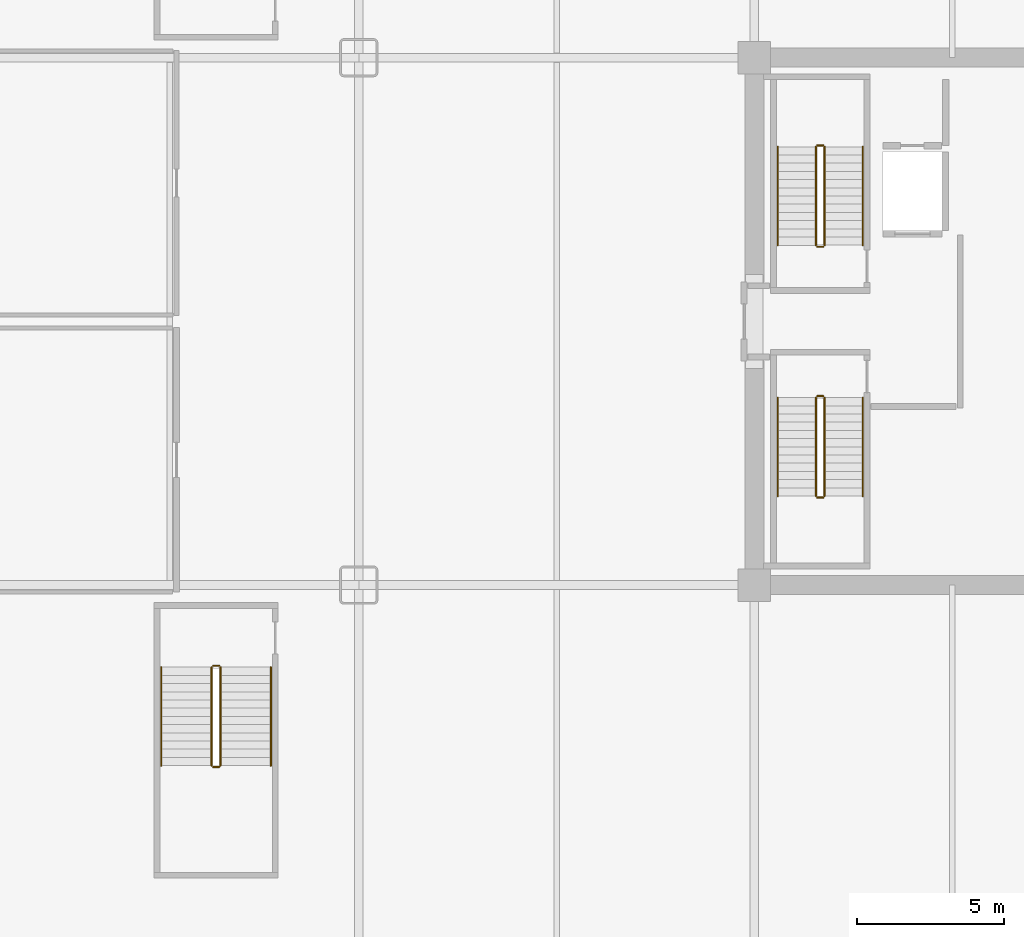
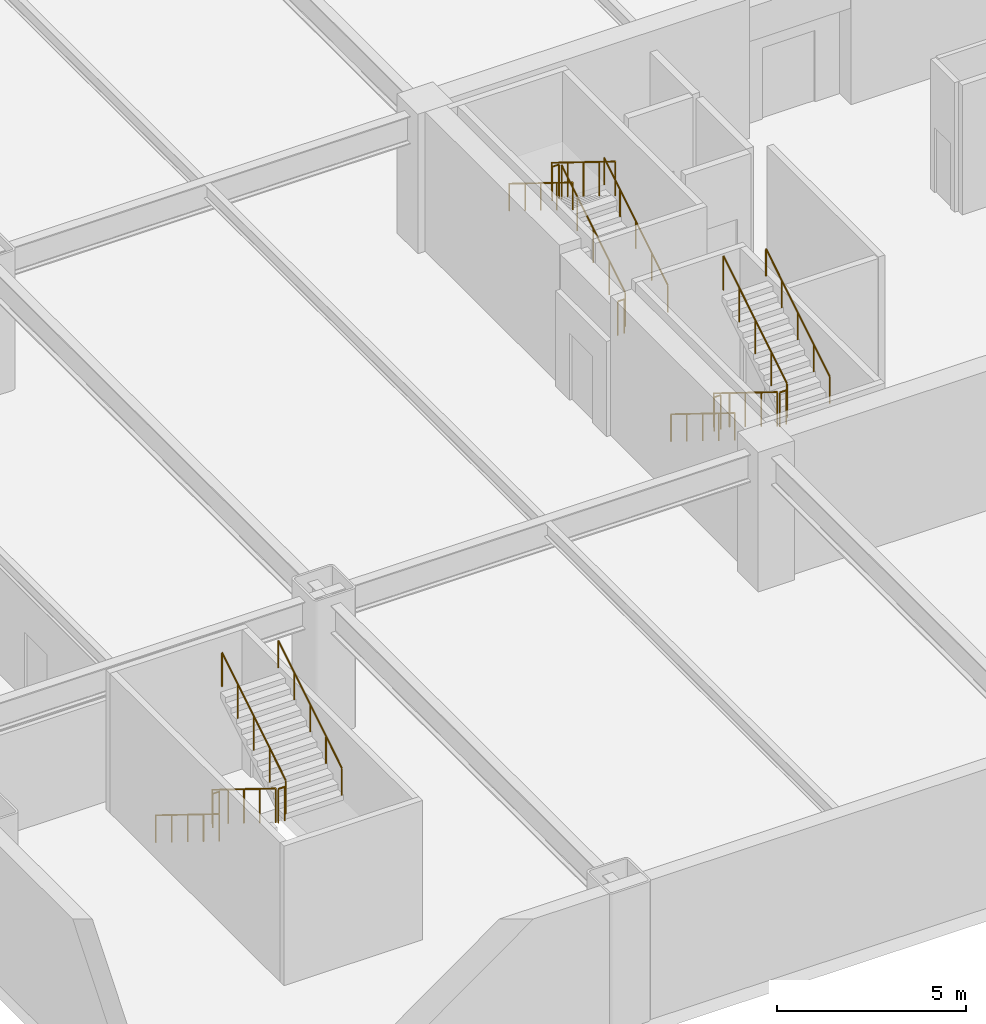
# One storey, part 6 of 9: 18 railings.
"""IFC4 building model written with IfcOpenShell, lengths in metres."""

from ifc_helpers import new_model, si_unit, direction, frame, origin, origin_2d, place, context, subcontext, project, spatial, circle, extrude, material, type_object, element, save


model = new_model("IFC4")

# Units and contexts
model_context = context("Model", 3, precision=1e-05, world=origin(), true_north=direction((0.0, 1.0)))
body_context = subcontext(model_context, "Body", "Model", "MODEL_VIEW")
ifc_project = project(units=[si_unit("LENGTHUNIT", "METRE"), si_unit("AREAUNIT", "SQUARE_METRE"), si_unit("VOLUMEUNIT", "CUBIC_METRE"), si_unit("PLANEANGLEUNIT", "RADIAN"), si_unit("MASSUNIT", "GRAM", prefix="KILO")], contexts=[model_context])

# Site, building, storey
site_placement = place(None, origin())
site = spatial("IfcSite", under=ifc_project, at=site_placement, CompositionType="ELEMENT")
building_placement = place(site_placement, origin())
building = spatial("IfcBuilding", under=site, at=building_placement, Name="Nefas-Gora Pilgrimage Tower", CompositionType="ELEMENT")
storey_placement = place(building_placement, frame((0.0, 0.0, -4.5)))
storey = spatial("IfcBuildingStorey", under=building, at=storey_placement, Name="B01", CompositionType="ELEMENT", Elevation=-4.5)

# Railings
ifc_material_1 = material(Name="Painted galvanised steel", Category="steel")
railing_type_1 = type_object("IfcRailingType", Name="RLG-STR-GUARD-1100", PredefinedType="GUARDRAIL", material=ifc_material_1)
railing_1_placement = place(storey_placement, frame((-8.85009765625, 2.60009765625, 0.173095703125)))
element("IfcRailing", 1, at=railing_1_placement, inside=storey, type_object=railing_type_1, Name="B01 ST-01 stair guard 1", PredefinedType="GUARDRAIL", context=body_context, shape_type="SweptSolid", body=[
    extrude(circle(Radius=0.02392578125, at=origin_2d()), frame((0.0, 0.0, 1.09619140625), z_axis=(0.0, 0.850606129759, 0.525803396734), x_axis=(-1.0, 0.0, 0.0)), (0.0, 0.0, 1.0), 3.949951171875),
    extrude(circle(Radius=0.02099609375, at=origin_2d()), origin(), (0.0, 0.0, 1.0), 1.072021484375),
    extrude(circle(Radius=0.02099609375, at=origin_2d()), frame((0.0, 0.83984375, 0.519287109375)), (0.0, 0.0, 1.0), 1.072021484375),
    extrude(circle(Radius=0.02099609375, at=origin_2d()), frame((0.0, 1.679931640625, 1.03857421875)), (0.0, 0.0, 1.0), 1.072021484375),
    extrude(circle(Radius=0.02099609375, at=origin_2d()), frame((0.0, 2.52001953125, 1.5576171875)), (0.0, 0.0, 1.0), 1.072021484375),
    extrude(circle(Radius=0.02099609375, at=origin_2d()), frame((0.0, 3.35986328125, 2.076904296875)), (0.0, 0.0, 1.0), 1.072021484375),
])
railing_2_placement = place(storey_placement, frame((-8.89990234375, 6.010009765625, 2.25)))
element("IfcRailing", 2, at=railing_2_placement, inside=storey, type_object=railing_type_1, Name="B01 ST-01 stair guard 2", PredefinedType="GUARDRAIL", context=body_context, shape_type="SweptSolid", body=[
    extrude(circle(Radius=0.02392578125, at=origin_2d()), frame((0.0, 0.0, 1.09619140625), z_axis=(-1.0, 0.0, 0.0), x_axis=(0.0, -1.0, 0.0)), (0.0, 0.0, 1.0), 0.2001953125),
    extrude(circle(Radius=0.02099609375, at=origin_2d()), origin(), (0.0, 0.0, 1.0), 1.072021484375),
    extrude(circle(Radius=0.02099609375, at=origin_2d()), frame((-0.2001953125, 0.0, 0.0)), (0.0, 0.0, 1.0), 1.072021484375),
])
railing_3_placement = place(storey_placement, frame((-9.14990234375, 5.9599609375, 2.423095703125)))
element("IfcRailing", 3, at=railing_3_placement, inside=storey, type_object=railing_type_1, Name="B01 ST-01 stair guard 3", PredefinedType="GUARDRAIL", context=body_context, shape_type="SweptSolid", body=[
    extrude(circle(Radius=0.02392578125, at=origin_2d()), frame((0.0, 0.0, 1.09619140625), z_axis=(0.0, -0.850606129759, 0.525803396734), x_axis=(1.0, 0.0, 0.0)), (0.0, 0.0, 1.0), 3.949951171875),
    extrude(circle(Radius=0.02099609375, at=origin_2d()), origin(), (0.0, 0.0, 1.0), 1.072021484375),
    extrude(circle(Radius=0.02099609375, at=origin_2d()), frame((0.0, -0.83984375, 0.519287109375)), (0.0, 0.0, 1.0), 1.072021484375),
    extrude(circle(Radius=0.02099609375, at=origin_2d()), frame((0.0, -1.679931640625, 1.03857421875)), (0.0, 0.0, 1.0), 1.072021484375),
    extrude(circle(Radius=0.02099609375, at=origin_2d()), frame((0.0, -2.52001953125, 1.5576171875)), (0.0, 0.0, 1.0), 1.072021484375),
    extrude(circle(Radius=0.02099609375, at=origin_2d()), frame((0.0, -3.35986328125, 2.076904296875)), (0.0, 0.0, 1.0), 1.072021484375),
])
railing_4_placement = place(storey_placement, frame((-8.89990234375, 2.550048828125, 0.0)))
element("IfcRailing", 4, at=railing_4_placement, inside=storey, type_object=railing_type_1, Name="B01 ST-01 stair guard 4", PredefinedType="GUARDRAIL", context=body_context, shape_type="SweptSolid", body=[
    extrude(circle(Radius=0.02392578125, at=origin_2d()), frame((0.0, 0.0, 1.09619140625), z_axis=(-1.0, 0.0, 0.0), x_axis=(0.0, -1.0, 0.0)), (0.0, 0.0, 1.0), 0.2001953125),
    extrude(circle(Radius=0.02099609375, at=origin_2d()), origin(), (0.0, 0.0, 1.0), 1.072021484375),
    extrude(circle(Radius=0.02099609375, at=origin_2d()), frame((-0.2001953125, 0.0, 0.0)), (0.0, 0.0, 1.0), 1.072021484375),
])
railing_5_placement = place(storey_placement, frame((-9.14990234375, -2.60009765625, 0.173095703125)))
element("IfcRailing", 5, at=railing_5_placement, inside=storey, type_object=railing_type_1, Name="B01 ST-03 stair guard 1", PredefinedType="GUARDRAIL", context=body_context, shape_type="SweptSolid", body=[
    extrude(circle(Radius=0.02392578125, at=origin_2d()), frame((0.0, 0.0, 1.09619140625), z_axis=(0.0, -0.850606129759, 0.525803396734), x_axis=(1.0, 0.0, 0.0)), (0.0, 0.0, 1.0), 3.949951171875),
    extrude(circle(Radius=0.02099609375, at=origin_2d()), origin(), (0.0, 0.0, 1.0), 1.072021484375),
    extrude(circle(Radius=0.02099609375, at=origin_2d()), frame((0.0, -0.83984375, 0.519287109375)), (0.0, 0.0, 1.0), 1.072021484375),
    extrude(circle(Radius=0.02099609375, at=origin_2d()), frame((0.0, -1.679931640625, 1.03857421875)), (0.0, 0.0, 1.0), 1.072021484375),
    extrude(circle(Radius=0.02099609375, at=origin_2d()), frame((0.0, -2.52001953125, 1.5576171875)), (0.0, 0.0, 1.0), 1.072021484375),
    extrude(circle(Radius=0.02099609375, at=origin_2d()), frame((0.0, -3.35986328125, 2.076904296875)), (0.0, 0.0, 1.0), 1.072021484375),
])
railing_6_placement = place(storey_placement, frame((-9.10009765625, -6.010009765625, 2.25)))
element("IfcRailing", 6, at=railing_6_placement, inside=storey, type_object=railing_type_1, Name="B01 ST-03 stair guard 2", PredefinedType="GUARDRAIL", context=body_context, shape_type="SweptSolid", body=[
    extrude(circle(Radius=0.02392578125, at=origin_2d()), frame((0.0, 0.0, 1.09619140625), z_axis=(1.0, 0.0, 0.0), x_axis=(0.0, 1.0, 0.0)), (0.0, 0.0, 1.0), 0.2001953125),
    extrude(circle(Radius=0.02099609375, at=origin_2d()), origin(), (0.0, 0.0, 1.0), 1.072021484375),
    extrude(circle(Radius=0.02099609375, at=origin_2d()), frame((0.2001953125, 0.0, 0.0)), (0.0, 0.0, 1.0), 1.072021484375),
])
railing_7_placement = place(storey_placement, frame((-8.85009765625, -5.9599609375, 2.423095703125)))
element("IfcRailing", 7, at=railing_7_placement, inside=storey, type_object=railing_type_1, Name="B01 ST-03 stair guard 3", PredefinedType="GUARDRAIL", context=body_context, shape_type="SweptSolid", body=[
    extrude(circle(Radius=0.02392578125, at=origin_2d()), frame((0.0, 0.0, 1.09619140625), z_axis=(0.0, 0.850606129759, 0.525803396734), x_axis=(-1.0, 0.0, 0.0)), (0.0, 0.0, 1.0), 3.949951171875),
    extrude(circle(Radius=0.02099609375, at=origin_2d()), origin(), (0.0, 0.0, 1.0), 1.072021484375),
    extrude(circle(Radius=0.02099609375, at=origin_2d()), frame((0.0, 0.83984375, 0.519287109375)), (0.0, 0.0, 1.0), 1.072021484375),
    extrude(circle(Radius=0.02099609375, at=origin_2d()), frame((0.0, 1.679931640625, 1.03857421875)), (0.0, 0.0, 1.0), 1.072021484375),
    extrude(circle(Radius=0.02099609375, at=origin_2d()), frame((0.0, 2.52001953125, 1.5576171875)), (0.0, 0.0, 1.0), 1.072021484375),
    extrude(circle(Radius=0.02099609375, at=origin_2d()), frame((0.0, 3.35986328125, 2.076904296875)), (0.0, 0.0, 1.0), 1.072021484375),
])
railing_8_placement = place(storey_placement, frame((-9.10009765625, -2.550048828125, 0.0)))
element("IfcRailing", 8, at=railing_8_placement, inside=storey, type_object=railing_type_1, Name="B01 ST-03 stair guard 4", PredefinedType="GUARDRAIL", context=body_context, shape_type="SweptSolid", body=[
    extrude(circle(Radius=0.02392578125, at=origin_2d()), frame((0.0, 0.0, 1.09619140625), z_axis=(1.0, 0.0, 0.0), x_axis=(0.0, 1.0, 0.0)), (0.0, 0.0, 1.0), 0.2001953125),
    extrude(circle(Radius=0.02099609375, at=origin_2d()), origin(), (0.0, 0.0, 1.0), 1.072021484375),
    extrude(circle(Radius=0.02099609375, at=origin_2d()), frame((0.2001953125, 0.0, 0.0)), (0.0, 0.0, 1.0), 1.072021484375),
])
railing_9_placement = place(storey_placement, frame((-29.77001953125, -11.800048828125, 0.173095703125)))
element("IfcRailing", 9, at=railing_9_placement, inside=storey, type_object=railing_type_1, Name="B01 ST-05 stair guard 1", PredefinedType="GUARDRAIL", context=body_context, shape_type="SweptSolid", body=[
    extrude(circle(Radius=0.02392578125, at=origin_2d()), frame((0.0, 0.0, 1.09619140625), z_axis=(0.0, -0.850606129759, 0.525803396734), x_axis=(1.0, 0.0, 0.0)), (0.0, 0.0, 1.0), 3.949951171875),
    extrude(circle(Radius=0.02099609375, at=origin_2d()), origin(), (0.0, 0.0, 1.0), 1.072021484375),
    extrude(circle(Radius=0.02099609375, at=origin_2d()), frame((0.0, -0.83984375, 0.519287109375)), (0.0, 0.0, 1.0), 1.072021484375),
    extrude(circle(Radius=0.02099609375, at=origin_2d()), frame((0.0, -1.679931640625, 1.03857421875)), (0.0, 0.0, 1.0), 1.072021484375),
    extrude(circle(Radius=0.02099609375, at=origin_2d()), frame((0.0, -2.52001953125, 1.5576171875)), (0.0, 0.0, 1.0), 1.072021484375),
    extrude(circle(Radius=0.02099609375, at=origin_2d()), frame((0.0, -3.35986328125, 2.076904296875)), (0.0, 0.0, 1.0), 1.072021484375),
])
railing_10_placement = place(storey_placement, frame((-29.719970703125, -15.2099609375, 2.25)))
element("IfcRailing", 10, at=railing_10_placement, inside=storey, type_object=railing_type_1, Name="B01 ST-05 stair guard 2", PredefinedType="GUARDRAIL", context=body_context, shape_type="SweptSolid", body=[
    extrude(circle(Radius=0.02392578125, at=origin_2d()), frame((0.0, 0.0, 1.09619140625), z_axis=(1.0, 0.0, 0.0), x_axis=(0.0, 1.0, 0.0)), (0.0, 0.0, 1.0), 0.199951171875),
    extrude(circle(Radius=0.02099609375, at=origin_2d()), origin(), (0.0, 0.0, 1.0), 1.072021484375),
    extrude(circle(Radius=0.02099609375, at=origin_2d()), frame((0.199951171875, 0.0, 0.0)), (0.0, 0.0, 1.0), 1.072021484375),
])
railing_11_placement = place(storey_placement, frame((-29.469970703125, -15.159912109375, 2.423095703125)))
element("IfcRailing", 11, at=railing_11_placement, inside=storey, type_object=railing_type_1, Name="B01 ST-05 stair guard 3", PredefinedType="GUARDRAIL", context=body_context, shape_type="SweptSolid", body=[
    extrude(circle(Radius=0.02392578125, at=origin_2d()), frame((0.0, 0.0, 1.09619140625), z_axis=(0.0, 0.850606129759, 0.525803396734), x_axis=(-1.0, 0.0, 0.0)), (0.0, 0.0, 1.0), 3.949951171875),
    extrude(circle(Radius=0.02099609375, at=origin_2d()), origin(), (0.0, 0.0, 1.0), 1.072021484375),
    extrude(circle(Radius=0.02099609375, at=origin_2d()), frame((0.0, 0.83984375, 0.519287109375)), (0.0, 0.0, 1.0), 1.072021484375),
    extrude(circle(Radius=0.02099609375, at=origin_2d()), frame((0.0, 1.679931640625, 1.03857421875)), (0.0, 0.0, 1.0), 1.072021484375),
    extrude(circle(Radius=0.02099609375, at=origin_2d()), frame((0.0, 2.52001953125, 1.5576171875)), (0.0, 0.0, 1.0), 1.072021484375),
    extrude(circle(Radius=0.02099609375, at=origin_2d()), frame((0.0, 3.35986328125, 2.076904296875)), (0.0, 0.0, 1.0), 1.072021484375),
])
railing_12_placement = place(storey_placement, frame((-29.719970703125, -11.75, 0.0)))
element("IfcRailing", 12, at=railing_12_placement, inside=storey, type_object=railing_type_1, Name="B01 ST-05 stair guard 4", PredefinedType="GUARDRAIL", context=body_context, shape_type="SweptSolid", body=[
    extrude(circle(Radius=0.02392578125, at=origin_2d()), frame((0.0, 0.0, 1.09619140625), z_axis=(1.0, 0.0, 0.0), x_axis=(0.0, 1.0, 0.0)), (0.0, 0.0, 1.0), 0.199951171875),
    extrude(circle(Radius=0.02099609375, at=origin_2d()), origin(), (0.0, 0.0, 1.0), 1.072021484375),
    extrude(circle(Radius=0.02099609375, at=origin_2d()), frame((0.199951171875, 0.0, 0.0)), (0.0, 0.0, 1.0), 1.072021484375),
])
ifc_material_2 = material(Name="Brushed stainless steel", Category="steel")
railing_type_2 = type_object("IfcRailingType", Name="RLG-STR-HAND-900", PredefinedType="HANDRAIL", material=ifc_material_2)
railing_13_placement = place(storey_placement, frame((-7.550048828125, 2.60009765625, 0.173095703125)))
element("IfcRailing", 13, at=railing_13_placement, inside=storey, type_object=railing_type_2, Name="B01 ST-01 stair handrail 1", PredefinedType="HANDRAIL", context=body_context, shape_type="SweptSolid", body=[
    extrude(circle(Radius=0.02392578125, at=origin_2d()), frame((0.0, 0.0, 0.8759765625), z_axis=(0.0, 0.850606129759, 0.525803396734), x_axis=(-1.0, 0.0, 0.0)), (0.0, 0.0, 1.0), 3.949951171875),
    extrude(circle(Radius=0.02099609375, at=origin_2d()), origin(), (0.0, 0.0, 1.0), 0.851806640625),
    extrude(circle(Radius=0.02099609375, at=origin_2d()), frame((0.0, 0.83984375, 0.519287109375)), (0.0, 0.0, 1.0), 0.851806640625),
    extrude(circle(Radius=0.02099609375, at=origin_2d()), frame((0.0, 1.679931640625, 1.03857421875)), (0.0, 0.0, 1.0), 0.851806640625),
    extrude(circle(Radius=0.02099609375, at=origin_2d()), frame((0.0, 2.52001953125, 1.5576171875)), (0.0, 0.0, 1.0), 0.851806640625),
    extrude(circle(Radius=0.02099609375, at=origin_2d()), frame((0.0, 3.35986328125, 2.076904296875)), (0.0, 0.0, 1.0), 0.851806640625),
])
for number, where, name in (
    (14, (-10.449951171875, 5.9599609375, 2.423095703125), "B01 ST-01 stair handrail 2"),
    (15, (-10.449951171875, -2.60009765625, 0.173095703125), "B01 ST-03 stair handrail 1"),
):
    element("IfcRailing", number, at=place(storey_placement, frame(where)), inside=storey, type_object=railing_type_2, Name=name, PredefinedType="HANDRAIL", context=body_context, shape_type="SweptSolid", body=[
        extrude(circle(Radius=0.02392578125, at=origin_2d()), frame((0.0, 0.0, 0.8759765625), z_axis=(0.0, -0.850606129759, 0.525803396734), x_axis=(1.0, 0.0, 0.0)), (0.0, 0.0, 1.0), 3.949951171875),
        extrude(circle(Radius=0.02099609375, at=origin_2d()), origin(), (0.0, 0.0, 1.0), 0.851806640625),
        extrude(circle(Radius=0.02099609375, at=origin_2d()), frame((0.0, -0.83984375, 0.519287109375)), (0.0, 0.0, 1.0), 0.851806640625),
        extrude(circle(Radius=0.02099609375, at=origin_2d()), frame((0.0, -1.679931640625, 1.03857421875)), (0.0, 0.0, 1.0), 0.851806640625),
        extrude(circle(Radius=0.02099609375, at=origin_2d()), frame((0.0, -2.52001953125, 1.5576171875)), (0.0, 0.0, 1.0), 0.851806640625),
        extrude(circle(Radius=0.02099609375, at=origin_2d()), frame((0.0, -3.35986328125, 2.076904296875)), (0.0, 0.0, 1.0), 0.851806640625),
    ])
railing_14_placement = place(storey_placement, frame((-7.550048828125, -5.9599609375, 2.423095703125)))
element("IfcRailing", 16, at=railing_14_placement, inside=storey, type_object=railing_type_2, Name="B01 ST-03 stair handrail 2", PredefinedType="HANDRAIL", context=body_context, shape_type="SweptSolid", body=[
    extrude(circle(Radius=0.02392578125, at=origin_2d()), frame((0.0, 0.0, 0.8759765625), z_axis=(0.0, 0.850606129759, 0.525803396734), x_axis=(-1.0, 0.0, 0.0)), (0.0, 0.0, 1.0), 3.949951171875),
    extrude(circle(Radius=0.02099609375, at=origin_2d()), origin(), (0.0, 0.0, 1.0), 0.851806640625),
    extrude(circle(Radius=0.02099609375, at=origin_2d()), frame((0.0, 0.83984375, 0.519287109375)), (0.0, 0.0, 1.0), 0.851806640625),
    extrude(circle(Radius=0.02099609375, at=origin_2d()), frame((0.0, 1.679931640625, 1.03857421875)), (0.0, 0.0, 1.0), 0.851806640625),
    extrude(circle(Radius=0.02099609375, at=origin_2d()), frame((0.0, 2.52001953125, 1.5576171875)), (0.0, 0.0, 1.0), 0.851806640625),
    extrude(circle(Radius=0.02099609375, at=origin_2d()), frame((0.0, 3.35986328125, 2.076904296875)), (0.0, 0.0, 1.0), 0.851806640625),
])
railing_15_placement = place(storey_placement, frame((-31.489990234375, -11.800048828125, 0.173095703125)))
element("IfcRailing", 17, at=railing_15_placement, inside=storey, type_object=railing_type_2, Name="B01 ST-05 stair handrail 1", PredefinedType="HANDRAIL", context=body_context, shape_type="SweptSolid", body=[
    extrude(circle(Radius=0.02392578125, at=origin_2d()), frame((0.0, 0.0, 0.8759765625), z_axis=(0.0, -0.850606129759, 0.525803396734), x_axis=(1.0, 0.0, 0.0)), (0.0, 0.0, 1.0), 3.949951171875),
    extrude(circle(Radius=0.02099609375, at=origin_2d()), origin(), (0.0, 0.0, 1.0), 0.851806640625),
    extrude(circle(Radius=0.02099609375, at=origin_2d()), frame((0.0, -0.83984375, 0.519287109375)), (0.0, 0.0, 1.0), 0.851806640625),
    extrude(circle(Radius=0.02099609375, at=origin_2d()), frame((0.0, -1.679931640625, 1.03857421875)), (0.0, 0.0, 1.0), 0.851806640625),
    extrude(circle(Radius=0.02099609375, at=origin_2d()), frame((0.0, -2.52001953125, 1.5576171875)), (0.0, 0.0, 1.0), 0.851806640625),
    extrude(circle(Radius=0.02099609375, at=origin_2d()), frame((0.0, -3.35986328125, 2.076904296875)), (0.0, 0.0, 1.0), 0.851806640625),
])
railing_16_placement = place(storey_placement, frame((-27.75, -15.159912109375, 2.423095703125)))
element("IfcRailing", 18, at=railing_16_placement, inside=storey, type_object=railing_type_2, Name="B01 ST-05 stair handrail 2", PredefinedType="HANDRAIL", context=body_context, shape_type="SweptSolid", body=[
    extrude(circle(Radius=0.02392578125, at=origin_2d()), frame((0.0, 0.0, 0.8759765625), z_axis=(0.0, 0.850606129759, 0.525803396734), x_axis=(-1.0, 0.0, 0.0)), (0.0, 0.0, 1.0), 3.949951171875),
    extrude(circle(Radius=0.02099609375, at=origin_2d()), origin(), (0.0, 0.0, 1.0), 0.851806640625),
    extrude(circle(Radius=0.02099609375, at=origin_2d()), frame((0.0, 0.83984375, 0.519287109375)), (0.0, 0.0, 1.0), 0.851806640625),
    extrude(circle(Radius=0.02099609375, at=origin_2d()), frame((0.0, 1.679931640625, 1.03857421875)), (0.0, 0.0, 1.0), 0.851806640625),
    extrude(circle(Radius=0.02099609375, at=origin_2d()), frame((0.0, 2.52001953125, 1.5576171875)), (0.0, 0.0, 1.0), 0.851806640625),
    extrude(circle(Radius=0.02099609375, at=origin_2d()), frame((0.0, 3.35986328125, 2.076904296875)), (0.0, 0.0, 1.0), 0.851806640625),
])

save(model, "model.ifc")
